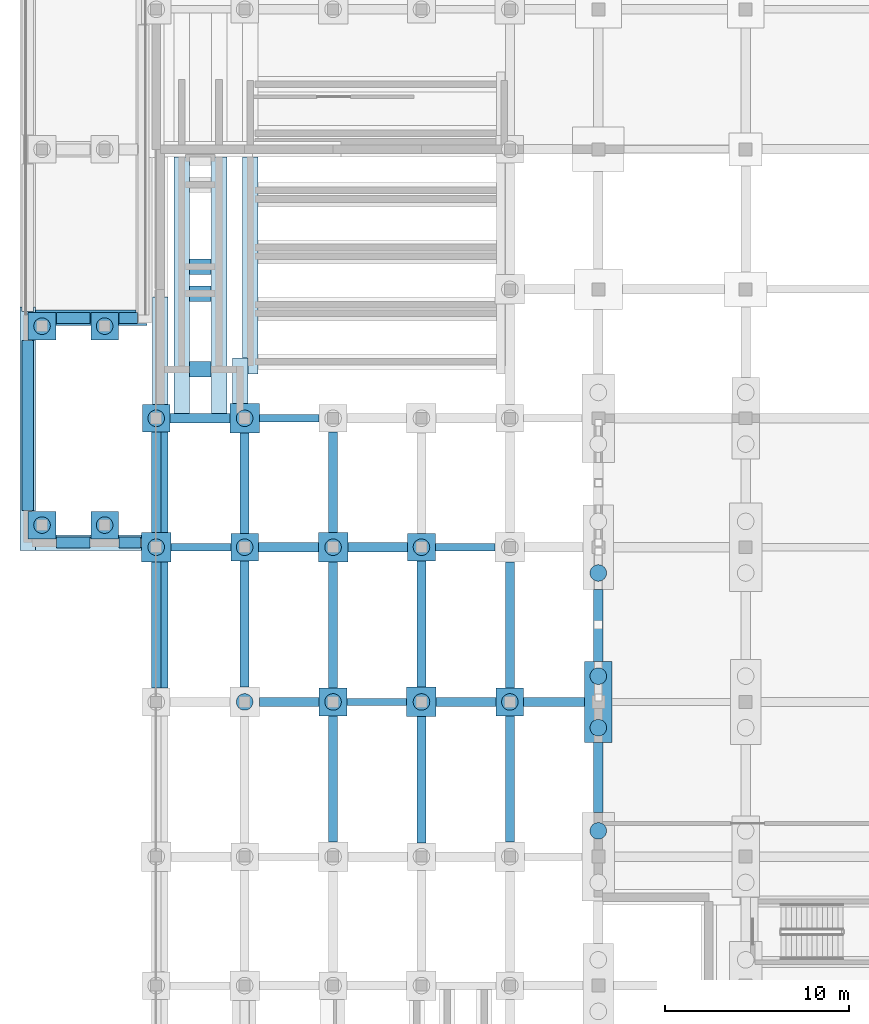
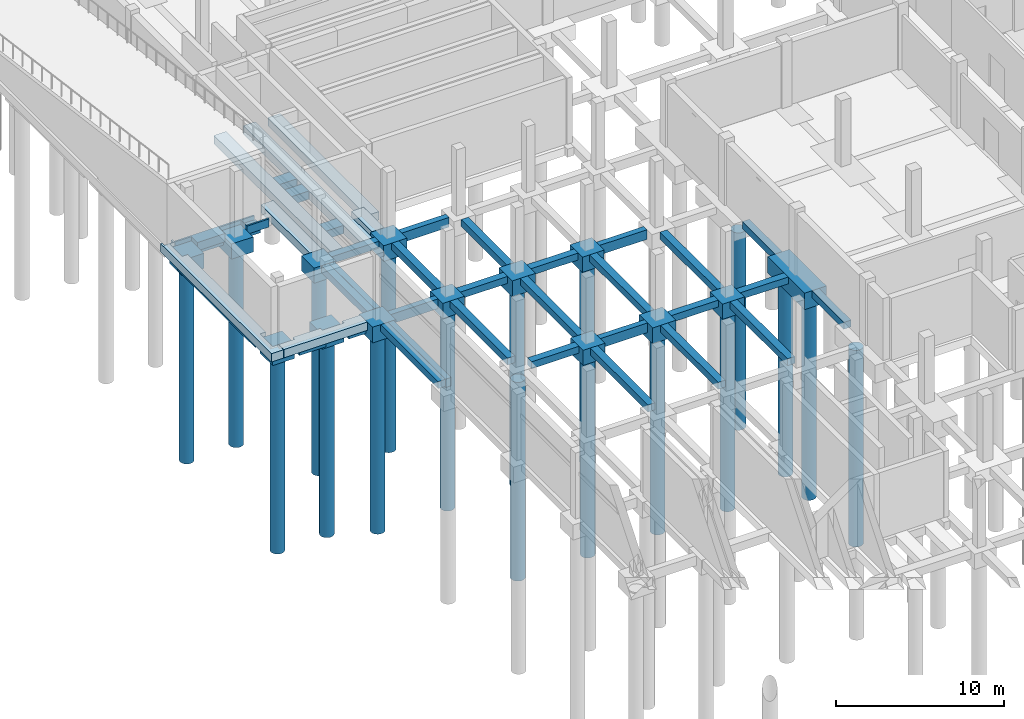
# One storey, part 9 of 50: 55 footings, 18 piles.
"""IFC4 building model written with IfcOpenShell, lengths in metres."""

from ifc_helpers import new_model, si_unit, direction, frame, origin, origin_2d, place, context, subcontext, project, spatial, polyline, rectangle, circle, outline, extrude, material, material_profile, profile_set, type_object, element, save


model = new_model("IFC4")

# Units and contexts
model_context = context("Model", 3, precision=1e-05, world=origin(), true_north=direction((0.0, 1.0)))
body_context = subcontext(model_context, "Body", "Model", "MODEL_VIEW")
ifc_project = project(units=[si_unit("LENGTHUNIT", "METRE"), si_unit("AREAUNIT", "SQUARE_METRE"), si_unit("VOLUMEUNIT", "CUBIC_METRE"), si_unit("PLANEANGLEUNIT", "RADIAN"), si_unit("MASSUNIT", "GRAM", prefix="KILO")], contexts=[model_context])

# Site, building, storey
site_placement = place(None, origin())
site = spatial("IfcSite", under=ifc_project, at=site_placement, CompositionType="ELEMENT")
building_placement = place(site_placement, origin())
building = spatial("IfcBuilding", under=site, at=building_placement, Name="Vekula Escarpment Museum", CompositionType="ELEMENT")
storey_placement = place(building_placement, frame((0.0, 0.0, -4.800048828125)))
storey = spatial("IfcBuildingStorey", under=building, at=storey_placement, Name="B1", CompositionType="ELEMENT", Elevation=-4.800048828125)

# Footings
ifc_material_1 = material(Name="Concrete C35/45", Category="concrete")
footing_type_1 = type_object("IfcFootingType", Name="FB-STRIP-600", PredefinedType="STRIP_FOOTING", material=ifc_material_1)
footing_1_placement = place(storey_placement, frame((0.0, 0.0, -0.89990234375)))
element("IfcFooting", 1, at=footing_1_placement, inside=storey, type_object=footing_type_1, Name="Vehicle Ramp Strip Footing RMP-TOP-W-1", PredefinedType="STRIP_FOOTING", context=body_context, shape_type="SweptSolid", body=[
    extrude(outline(polyline([(-7.27490234375, 78.389892578125), (-6.675048828125, 78.389892578125), (-6.675048828125, 87.610107421875), (-7.27490234375, 87.610107421875), (-7.27490234375, 78.389892578125)])), origin(), (0.0, 0.0, 1.0), 0.599853515625),
])
footing_2_placement = place(storey_placement, frame((0.0, 0.0, -0.89990234375)))
element("IfcFooting", 2, at=footing_2_placement, inside=storey, type_object=footing_type_1, Name="Vehicle Ramp Strip Footing RMP-X-77-1", PredefinedType="STRIP_FOOTING", context=body_context, shape_type="SweptSolid", body=[
    extrude(outline(polyline([(-5.409912109375, 76.35009765625), (-3.590087890625, 76.35009765625), (-3.590087890625, 76.949951171875), (-5.409912109375, 76.949951171875), (-5.409912109375, 76.35009765625)])), origin(), (0.0, 0.0, 1.0), 0.599853515625),
])
footing_3_placement = place(storey_placement, frame((0.0, 0.0, -0.89990234375)))
element("IfcFooting", 3, at=footing_3_placement, inside=storey, type_object=footing_type_1, Name="Vehicle Ramp Strip Footing RMP-X-77-2", PredefinedType="STRIP_FOOTING", context=body_context, shape_type="SweptSolid", body=[
    extrude(outline(polyline([(-2.010009765625, 76.35009765625), (-0.840087890625, 76.35009765625), (-0.840087890625, 76.949951171875), (-2.010009765625, 76.949951171875), (-2.010009765625, 76.35009765625)])), origin(), (0.0, 0.0, 1.0), 0.599853515625),
])
footing_4_placement = place(storey_placement, frame((0.0, 0.0, -0.89990234375)))
element("IfcFooting", 4, at=footing_4_placement, inside=storey, type_object=footing_type_1, Name="Vehicle Ramp Strip Footing RMP-X-89-1", PredefinedType="STRIP_FOOTING", context=body_context, shape_type="SweptSolid", body=[
    extrude(outline(polyline([(-5.409912109375, 88.550048828125), (-3.590087890625, 88.550048828125), (-3.590087890625, 89.14990234375), (-5.409912109375, 89.14990234375), (-5.409912109375, 88.550048828125)])), origin(), (0.0, 0.0, 1.0), 0.599853515625),
])
footing_5_placement = place(storey_placement, frame((0.0, 0.0, -0.89990234375)))
element("IfcFooting", 5, at=footing_5_placement, inside=storey, type_object=footing_type_1, Name="Vehicle Ramp Strip Footing RMP-X-89-2", PredefinedType="STRIP_FOOTING", context=body_context, shape_type="SweptSolid", body=[
    extrude(outline(polyline([(-2.010009765625, 88.550048828125), (-1.02490234375, 88.550048828125), (-1.02490234375, 89.14990234375), (-2.010009765625, 89.14990234375), (-2.010009765625, 88.550048828125)])), origin(), (0.0, 0.0, 1.0), 0.599853515625),
])
footing_6_placement = place(storey_placement, frame((0.0, 0.0, -0.599853515625)))
element("IfcFooting", 6, at=footing_6_placement, inside=storey, type_object=footing_type_1, Name="Plinth Wall Strip Footing 0128", PredefinedType="STRIP_FOOTING", context=body_context, shape_type="SweptSolid", body=[
    extrude(outline(polyline([(0.64501953125, 84.154052734375), (-0.195068359375, 84.154052734375), (-0.195068359375, 89.97607421875), (0.64501953125, 89.97607421875), (0.64501953125, 84.154052734375)])), origin(), (0.0, 0.0, 1.0), 0.599853515625),
])
footing_7_placement = place(storey_placement, frame((0.0, 0.0, -0.599853515625)))
element("IfcFooting", 7, at=footing_7_placement, inside=storey, type_object=footing_type_1, Name="Plinth Wall Strip Footing 0129", PredefinedType="STRIP_FOOTING", context=body_context, shape_type="SweptSolid", body=[
    extrude(outline(polyline([(0.64501953125, 77.2041015625), (0.25390625, 77.2041015625), (0.25390625, 82.64599609375), (0.64501953125, 82.64599609375), (0.64501953125, 77.2041015625)])), origin(), (0.0, 0.0, 1.0), 0.599853515625),
])
footing_8_placement = place(storey_placement, frame((0.0, 0.0, -0.599853515625)))
element("IfcFooting", 8, at=footing_8_placement, inside=storey, type_object=footing_type_1, Name="Plinth Wall Strip Footing 0130", PredefinedType="STRIP_FOOTING", context=body_context, shape_type="SweptSolid", body=[
    extrude(outline(polyline([(0.64501953125, 68.75390625), (0.25390625, 68.75390625), (0.25390625, 75.595947265625), (0.64501953125, 75.595947265625), (0.64501953125, 68.75390625)])), origin(), (0.0, 0.0, 1.0), 0.599853515625),
])
footing_9_placement = place(storey_placement, frame((0.0, 0.0, -0.599853515625)))
element("IfcFooting", 9, at=footing_9_placement, inside=storey, type_object=footing_type_1, Name="Plinth Wall Strip Footing 0146", PredefinedType="STRIP_FOOTING", context=body_context, shape_type="SweptSolid", body=[
    extrude(outline(polyline([(1.81005859375, 83.654052734375), (0.969970703125, 83.654052734375), (0.969970703125, 97.575927734375), (1.81005859375, 97.575927734375), (1.81005859375, 83.654052734375)])), origin(), (0.0, 0.0, 1.0), 0.599853515625),
])
footing_10_placement = place(storey_placement, frame((0.0, 0.0, -0.599853515625)))
element("IfcFooting", 10, at=footing_10_placement, inside=storey, type_object=footing_type_1, Name="Plinth Wall Strip Footing 0148", PredefinedType="STRIP_FOOTING", context=body_context, shape_type="SweptSolid", body=[
    extrude(outline(polyline([(3.830078125, 83.654052734375), (2.989990234375, 83.654052734375), (2.989990234375, 97.575927734375), (3.830078125, 97.575927734375), (3.830078125, 83.654052734375)])), origin(), (0.0, 0.0, 1.0), 0.599853515625),
])
footing_11_placement = place(storey_placement, frame((0.0, 0.0, -0.599853515625)))
element("IfcFooting", 11, at=footing_11_placement, inside=storey, type_object=footing_type_1, Name="Plinth Wall Strip Footing 0152", PredefinedType="STRIP_FOOTING", context=body_context, shape_type="SweptSolid", body=[
    extrude(outline(polyline([(1.81396484375, 89.75), (1.81396484375, 90.590087890625), (2.986083984375, 90.590087890625), (2.986083984375, 89.75), (1.81396484375, 89.75)])), origin(), (0.0, 0.0, 1.0), 0.599853515625),
])
footing_12_placement = place(storey_placement, frame((0.0, 0.0, -0.599853515625)))
element("IfcFooting", 12, at=footing_12_placement, inside=storey, type_object=footing_type_1, Name="Plinth Wall Strip Footing 0153", PredefinedType="STRIP_FOOTING", context=body_context, shape_type="SweptSolid", body=[
    extrude(outline(polyline([(1.81396484375, 91.199951171875), (1.81396484375, 92.0400390625), (2.986083984375, 92.0400390625), (2.986083984375, 91.199951171875), (1.81396484375, 91.199951171875)])), origin(), (0.0, 0.0, 1.0), 0.599853515625),
])
footing_13_placement = place(storey_placement, frame((0.0, 0.0, -0.599853515625)))
element("IfcFooting", 13, at=footing_13_placement, inside=storey, type_object=footing_type_1, Name="Plinth Wall Strip Footing 0170", PredefinedType="STRIP_FOOTING", context=body_context, shape_type="SweptSolid", body=[
    extrude(outline(polyline([(4.1298828125, 86.659912109375), (4.969970703125, 86.659912109375), (4.969970703125, 84.2041015625), (4.1298828125, 84.2041015625), (4.1298828125, 86.659912109375)])), origin(), (0.0, 0.0, 1.0), 0.599853515625),
])
footing_14_placement = place(storey_placement, frame((0.0, 0.0, -0.599853515625)))
element("IfcFooting", 14, at=footing_14_placement, inside=storey, type_object=footing_type_1, Name="Plinth Wall Strip Footing 0171", PredefinedType="STRIP_FOOTING", context=body_context, shape_type="SweptSolid", body=[
    extrude(outline(polyline([(1.81396484375, 85.6298828125), (1.81396484375, 86.469970703125), (2.986083984375, 86.469970703125), (2.986083984375, 85.6298828125), (1.81396484375, 85.6298828125)])), origin(), (0.0, 0.0, 1.0), 0.599853515625),
])
footing_15_placement = place(storey_placement, frame((0.0, 0.0, -0.599853515625)))
element("IfcFooting", 15, at=footing_15_placement, inside=storey, type_object=footing_type_1, Name="Plinth Wall Strip Footing 0184", PredefinedType="STRIP_FOOTING", context=body_context, shape_type="SweptSolid", body=[
    extrude(outline(polyline([(5.52001953125, 85.81005859375), (4.97412109375, 85.81005859375), (4.97412109375, 86.6640625), (4.679931640625, 86.6640625), (4.679931640625, 97.575927734375), (5.52001953125, 97.575927734375), (5.52001953125, 85.81005859375)])), origin(), (0.0, 0.0, 1.0), 0.599853515625),
])
footing_16_placement = place(storey_placement, frame((0.0, 0.0, -0.599853515625)))
element("IfcFooting", 16, at=footing_16_placement, inside=storey, type_object=footing_type_1, Name="Plinth Wall Strip Footing 0208", PredefinedType="STRIP_FOOTING", context=body_context, shape_type="SweptSolid", body=[
    extrude(outline(polyline([(-6.554931640625, 76.22998046875), (-7.39501953125, 76.22998046875), (-7.39501953125, 89.43994140625), (-7.279052734375, 89.43994140625), (-7.279052734375, 89.18603515625), (-6.6708984375, 89.18603515625), (-6.6708984375, 89.43994140625), (-6.554931640625, 89.43994140625), (-6.554931640625, 89.154052734375), (-6.9541015625, 89.154052734375), (-6.9541015625, 87.64599609375), (-6.554931640625, 87.64599609375), (-6.554931640625, 78.35400390625), (-6.9541015625, 78.35400390625), (-6.9541015625, 76.845947265625), (-6.554931640625, 76.845947265625), (-6.554931640625, 76.22998046875)])), origin(), (0.0, 0.0, 1.0), 0.599853515625),
])
footing_17_placement = place(storey_placement, frame((0.0, 0.0, -0.599853515625)))
element("IfcFooting", 17, at=footing_17_placement, inside=storey, type_object=footing_type_1, Name="Plinth Wall Strip Footing 0213", PredefinedType="STRIP_FOOTING", context=body_context, shape_type="SweptSolid", body=[
    extrude(outline(polyline([(-6.551025390625, 76.22998046875), (-6.551025390625, 76.845947265625), (-5.446044921875, 76.845947265625), (-5.446044921875, 77.070068359375), (-3.553955078125, 77.070068359375), (-3.553955078125, 76.845947265625), (-2.0458984375, 76.845947265625), (-2.0458984375, 77.070068359375), (-0.803955078125, 77.070068359375), (-0.803955078125, 76.22998046875), (-6.551025390625, 76.22998046875)])), origin(), (0.0, 0.0, 1.0), 0.599853515625),
])
footing_18_placement = place(storey_placement, frame((0.0, 0.0, -0.599853515625)))
element("IfcFooting", 18, at=footing_18_placement, inside=storey, type_object=footing_type_1, Name="Plinth Wall Strip Footing 0214", PredefinedType="STRIP_FOOTING", context=body_context, shape_type="SweptSolid", body=[
    extrude(outline(polyline([(-5.446044921875, 88.429931640625), (-5.446044921875, 89.154052734375), (-6.551025390625, 89.154052734375), (-6.551025390625, 89.27001953125), (-1.10888671875, 89.27001953125), (-1.10888671875, 89.154052734375), (-2.013916015625, 89.154052734375), (-2.013916015625, 88.5458984375), (-1.02099609375, 88.5458984375), (-1.02099609375, 88.555908203125), (-0.510009765625, 88.555908203125), (-0.510009765625, 88.429931640625), (-2.0458984375, 88.429931640625), (-2.0458984375, 89.154052734375), (-3.553955078125, 89.154052734375), (-3.553955078125, 88.429931640625), (-5.446044921875, 88.429931640625)])), origin(), (0.0, 0.0, 1.0), 0.599853515625),
])
ifc_material_2 = material(Name="Concrete C35/45", Category="concrete")
ifc_material_profile_1 = material_profile(ifc_material_2, rectangle(XDim=0.39990234375, YDim=0.699951171875, at=origin_2d()), Name="RC 400x700")
ifc_profile_set_1 = profile_set([ifc_material_profile_1], Name="Concrete C35/45")
footing_type_2 = type_object("IfcFootingType", Name="FB-TIE-400x700", PredefinedType="FOOTING_BEAM", material=ifc_profile_set_1)
for number, where, z_axis, x_axis, name in (
    (19, (10.35009765625, 68.0, -0.349853515625), (1.0, 0.0, 0.0), (0.0, 1.0, 0.0), "Foundation Tie Beam 189"),
    (20, (0.800048828125, 76.39990234375, -0.349853515625), (1.0, 0.0, 0.0), (0.0, 1.0, 0.0), "Foundation Tie Beam 210"),
    (21, (15.14990234375, 76.39990234375, -0.349853515625), (1.0, 0.0, 0.0), (0.0, 1.0, 0.0), "Foundation Tie Beam 213"),
    (22, (5.60009765625, 83.39990234375, -0.349853515625), (1.0, 0.0, 0.0), (0.0, 1.0, 0.0), "Foundation Tie Beam 234"),
):
    element("IfcFooting", number, at=place(storey_placement, frame(where, z_axis=z_axis, x_axis=x_axis)), inside=storey, type_object=footing_type_2, Name=name, PredefinedType="FOOTING_BEAM", context=body_context, shape_type="SweptSolid", body=[
        extrude(rectangle(XDim=0.39990234375, YDim=0.699951171875, at=origin_2d()), origin(), (0.0, 0.0, 1.0), 3.25),
    ])
ifc_material_3 = material(Name="Concrete C35/45", Category="concrete")
ifc_material_profile_2 = material_profile(ifc_material_3, rectangle(XDim=0.5, YDim=0.5, at=origin_2d()), Name="RC 500x500")
ifc_profile_set_2 = profile_set([ifc_material_profile_2], Name="Concrete C35/45")
footing_type_3 = type_object("IfcFootingType", Name="FB-TIE-500x500", PredefinedType="FOOTING_BEAM", material=ifc_profile_set_2)
for number, where, z_axis, x_axis, name in (
    (23, (5.60009765625, 68.0, -0.25), (1.0, 0.0, 0.0), (0.0, 1.0, 0.0), "Foundation Tie Beam 188"),
    (24, (15.199951171875, 68.0, -0.25), (1.0, 0.0, 0.0), (0.0, 1.0, 0.0), "Foundation Tie Beam 190"),
):
    element("IfcFooting", number, at=place(storey_placement, frame(where, z_axis=z_axis, x_axis=x_axis)), inside=storey, type_object=footing_type_3, Name=name, PredefinedType="FOOTING_BEAM", context=body_context, shape_type="SweptSolid", body=[
        extrude(rectangle(XDim=0.5, YDim=0.5, at=origin_2d()), origin(), (0.0, 0.0, 1.0), 3.25),
    ])
footing_19_placement = place(storey_placement, frame((19.949951171875, 68.0, -0.25), z_axis=(1.0, 0.0, 0.0), x_axis=(0.0, 1.0, 0.0)))
element("IfcFooting", 25, at=footing_19_placement, inside=storey, type_object=footing_type_3, Name="Foundation Tie Beam 191", PredefinedType="FOOTING_BEAM", context=body_context, shape_type="SweptSolid", body=[
    extrude(rectangle(XDim=0.5, YDim=0.5, at=origin_2d()), origin(), (0.0, 0.0, 1.0), 3.300048828125),
])
for number, where, z_axis, x_axis, name in (
    (26, (5.550048828125, 76.39990234375, -0.25), (1.0, 0.0, 0.0), (0.0, 1.0, 0.0), "Foundation Tie Beam 211"),
    (27, (10.39990234375, 76.39990234375, -0.25), (1.0, 0.0, 0.0), (0.0, 1.0, 0.0), "Foundation Tie Beam 212"),
    (28, (0.75, 83.39990234375, -0.25), (1.0, 0.0, 0.0), (0.0, 1.0, 0.0), "Foundation Tie Beam 233"),
):
    element("IfcFooting", number, at=place(storey_placement, frame(where, z_axis=z_axis, x_axis=x_axis)), inside=storey, type_object=footing_type_3, Name=name, PredefinedType="FOOTING_BEAM", context=body_context, shape_type="SweptSolid", body=[
        extrude(rectangle(XDim=0.5, YDim=0.5, at=origin_2d()), origin(), (0.0, 0.0, 1.0), 3.25),
    ])
footing_20_placement = place(storey_placement, frame((0.0, 68.75, -0.25), z_axis=(0.0, 1.0, 0.0), x_axis=(-1.0, 0.0, 0.0)))
element("IfcFooting", 29, at=footing_20_placement, inside=storey, type_object=footing_type_3, Name="Foundation Tie Beam 408", PredefinedType="FOOTING_BEAM", context=body_context, shape_type="SweptSolid", body=[
    extrude(rectangle(XDim=0.5, YDim=0.5, at=origin_2d()), origin(), (0.0, 0.0, 1.0), 6.85009765625),
])
footing_21_placement = place(storey_placement, frame((0.0, 77.199951171875, -0.25), z_axis=(0.0, 1.0, 0.0), x_axis=(-1.0, 0.0, 0.0)))
element("IfcFooting", 30, at=footing_21_placement, inside=storey, type_object=footing_type_3, Name="Foundation Tie Beam 409", PredefinedType="FOOTING_BEAM", context=body_context, shape_type="SweptSolid", body=[
    extrude(rectangle(XDim=0.5, YDim=0.5, at=origin_2d()), origin(), (0.0, 0.0, 1.0), 5.449951171875),
])
footing_22_placement = place(storey_placement, frame((4.800048828125, 68.800048828125, -0.25), z_axis=(0.0, 1.0, 0.0), x_axis=(-1.0, 0.0, 0.0)))
element("IfcFooting", 31, at=footing_22_placement, inside=storey, type_object=footing_type_3, Name="Foundation Tie Beam 420", PredefinedType="FOOTING_BEAM", context=body_context, shape_type="SweptSolid", body=[
    extrude(rectangle(XDim=0.5, YDim=0.5, at=origin_2d()), origin(), (0.0, 0.0, 1.0), 6.849853515625),
])
footing_23_placement = place(storey_placement, frame((4.800048828125, 77.14990234375, -0.25), z_axis=(0.0, 1.0, 0.0), x_axis=(-1.0, 0.0, 0.0)))
element("IfcFooting", 32, at=footing_23_placement, inside=storey, type_object=footing_type_3, Name="Foundation Tie Beam 421", PredefinedType="FOOTING_BEAM", context=body_context, shape_type="SweptSolid", body=[
    extrude(rectangle(XDim=0.5, YDim=0.5, at=origin_2d()), origin(), (0.0, 0.0, 1.0), 5.4501953125),
])
for number, where, z_axis, x_axis, name in (
    (33, (9.60009765625, 60.39990234375, -0.25), (0.0, 1.0, 0.0), (-1.0, 0.0, 0.0), "Foundation Tie Beam 427"),
    (34, (9.60009765625, 68.75, -0.25), (0.0, 1.0, 0.0), (-1.0, 0.0, 0.0), "Foundation Tie Beam 428"),
):
    element("IfcFooting", number, at=place(storey_placement, frame(where, z_axis=z_axis, x_axis=x_axis)), inside=storey, type_object=footing_type_3, Name=name, PredefinedType="FOOTING_BEAM", context=body_context, shape_type="SweptSolid", body=[
        extrude(rectangle(XDim=0.5, YDim=0.5, at=origin_2d()), origin(), (0.0, 0.0, 1.0), 6.85009765625),
    ])
footing_24_placement = place(storey_placement, frame((9.60009765625, 77.199951171875, -0.25), z_axis=(0.0, 1.0, 0.0), x_axis=(-1.0, 0.0, 0.0)))
element("IfcFooting", 35, at=footing_24_placement, inside=storey, type_object=footing_type_3, Name="Foundation Tie Beam 429", PredefinedType="FOOTING_BEAM", context=body_context, shape_type="SweptSolid", body=[
    extrude(rectangle(XDim=0.5, YDim=0.5, at=origin_2d()), origin(), (0.0, 0.0, 1.0), 5.449951171875),
])
for number, where, z_axis, x_axis, name in (
    (36, (14.39990234375, 60.35009765625, -0.25), (0.0, 1.0, 0.0), (-1.0, 0.0, 0.0), "Foundation Tie Beam 435"),
    (37, (14.39990234375, 68.800048828125, -0.25), (0.0, 1.0, 0.0), (-1.0, 0.0, 0.0), "Foundation Tie Beam 436"),
):
    element("IfcFooting", number, at=place(storey_placement, frame(where, z_axis=z_axis, x_axis=x_axis)), inside=storey, type_object=footing_type_3, Name=name, PredefinedType="FOOTING_BEAM", context=body_context, shape_type="SweptSolid", body=[
        extrude(rectangle(XDim=0.5, YDim=0.5, at=origin_2d()), origin(), (0.0, 0.0, 1.0), 6.849853515625),
    ])
for number, where, z_axis, x_axis, name in (
    (38, (19.199951171875, 60.39990234375, -0.25), (0.0, 1.0, 0.0), (-1.0, 0.0, 0.0), "Foundation Tie Beam 450"),
    (39, (19.199951171875, 68.75, -0.25), (0.0, 1.0, 0.0), (-1.0, 0.0, 0.0), "Foundation Tie Beam 451"),
):
    element("IfcFooting", number, at=place(storey_placement, frame(where, z_axis=z_axis, x_axis=x_axis)), inside=storey, type_object=footing_type_3, Name=name, PredefinedType="FOOTING_BEAM", context=body_context, shape_type="SweptSolid", body=[
        extrude(rectangle(XDim=0.5, YDim=0.5, at=origin_2d()), origin(), (0.0, 0.0, 1.0), 6.85009765625),
    ])
footing_25_placement = place(storey_placement, frame((24.0, 62.0, -0.25), z_axis=(0.0, 1.0, 0.0), x_axis=(-1.0, 0.0, 0.0)))
element("IfcFooting", 40, at=footing_25_placement, inside=storey, type_object=footing_type_3, Name="Foundation Tie Beam 468", PredefinedType="FOOTING_BEAM", context=body_context, shape_type="SweptSolid", body=[
    extrude(rectangle(XDim=0.5, YDim=0.5, at=origin_2d()), origin(), (0.0, 0.0, 1.0), 3.800048828125),
])
footing_26_placement = place(storey_placement, frame((24.0, 70.199951171875, -0.25), z_axis=(0.0, 1.0, 0.0), x_axis=(-1.0, 0.0, 0.0)))
element("IfcFooting", 41, at=footing_26_placement, inside=storey, type_object=footing_type_3, Name="Foundation Tie Beam 469", PredefinedType="FOOTING_BEAM", context=body_context, shape_type="SweptSolid", body=[
    extrude(rectangle(XDim=0.5, YDim=0.5, at=origin_2d()), origin(), (0.0, 0.0, 1.0), 3.900146484375),
])
ifc_material_4 = material(Name="Concrete C35/45", Category="concrete")
footing_type_4 = type_object("IfcFootingType", Name="FC-PC1A", PredefinedType="PILE_CAP", material=ifc_material_4)
footing_27_placement = place(storey_placement, frame((0.0, 0.0, -1.099853515625)))
element("IfcFooting", 42, at=footing_27_placement, inside=storey, type_object=footing_type_4, Name="Foundation FC-PC1A (0.0,83.4)", PredefinedType="PILE_CAP", context=body_context, shape_type="SweptSolid", body=[
    extrude(outline(polyline([(-0.75, 82.64990234375), (0.75, 82.64990234375), (0.75, 84.14990234375), (-0.75, 84.14990234375), (-0.75, 82.64990234375)])), origin(), (0.0, 0.0, 1.0), 1.099853515625),
])
footing_28_placement = place(storey_placement, frame((0.0, 0.0, -1.099853515625)))
element("IfcFooting", 43, at=footing_28_placement, inside=storey, type_object=footing_type_4, Name="Foundation FC-PC1A (4.8,76.4)", PredefinedType="PILE_CAP", context=body_context, shape_type="SweptSolid", body=[
    extrude(outline(polyline([(4.050048828125, 75.64990234375), (5.550048828125, 75.64990234375), (5.550048828125, 77.14990234375), (4.050048828125, 77.14990234375), (4.050048828125, 75.64990234375)])), origin(), (0.0, 0.0, 1.0), 1.099853515625),
])
footing_29_placement = place(storey_placement, frame((0.0, 0.0, -1.099853515625)))
element("IfcFooting", 44, at=footing_29_placement, inside=storey, type_object=footing_type_4, Name="Foundation FC-PC1A (9.6,68.0)", PredefinedType="PILE_CAP", context=body_context, shape_type="SweptSolid", body=[
    extrude(outline(polyline([(8.85009765625, 67.25), (10.35009765625, 67.25), (10.35009765625, 68.75), (8.85009765625, 68.75), (8.85009765625, 67.25)])), origin(), (0.0, 0.0, 1.0), 1.099853515625),
])
footing_30_placement = place(storey_placement, frame((0.0, 0.0, -1.099853515625)))
element("IfcFooting", 45, at=footing_30_placement, inside=storey, type_object=footing_type_4, Name="Foundation FC-PC1A (14.4,76.4)", PredefinedType="PILE_CAP", context=body_context, shape_type="SweptSolid", body=[
    extrude(outline(polyline([(13.64990234375, 75.64990234375), (15.14990234375, 75.64990234375), (15.14990234375, 77.14990234375), (13.64990234375, 77.14990234375), (13.64990234375, 75.64990234375)])), origin(), (0.0, 0.0, 1.0), 1.099853515625),
])
footing_31_placement = place(storey_placement, frame((0.0, 0.0, -1.099853515625)))
element("IfcFooting", 46, at=footing_31_placement, inside=storey, type_object=footing_type_4, Name="Foundation FC-PC1A (19.2,68.0)", PredefinedType="PILE_CAP", context=body_context, shape_type="SweptSolid", body=[
    extrude(outline(polyline([(18.449951171875, 67.25), (19.949951171875, 67.25), (19.949951171875, 68.75), (18.449951171875, 68.75), (18.449951171875, 67.25)])), origin(), (0.0, 0.0, 1.0), 1.099853515625),
])
footing_32_placement = place(storey_placement, frame((0.0, 0.0, -1.39990234375)))
element("IfcFooting", 47, at=footing_32_placement, inside=storey, type_object=footing_type_4, Name="Vehicle Ramp Pile Cap 01", PredefinedType="PILE_CAP", context=body_context, shape_type="SweptSolid", body=[
    extrude(outline(polyline([(-6.949951171875, 76.85009765625), (-5.449951171875, 76.85009765625), (-5.449951171875, 78.35009765625), (-6.949951171875, 78.35009765625), (-6.949951171875, 76.85009765625)])), origin(), (0.0, 0.0, 1.0), 1.099853515625),
])
footing_33_placement = place(storey_placement, frame((0.0, 0.0, -1.39990234375)))
element("IfcFooting", 48, at=footing_33_placement, inside=storey, type_object=footing_type_4, Name="Vehicle Ramp Pile Cap 02", PredefinedType="PILE_CAP", context=body_context, shape_type="SweptSolid", body=[
    extrude(outline(polyline([(-3.550048828125, 76.85009765625), (-2.050048828125, 76.85009765625), (-2.050048828125, 78.35009765625), (-3.550048828125, 78.35009765625), (-3.550048828125, 76.85009765625)])), origin(), (0.0, 0.0, 1.0), 1.099853515625),
])
footing_34_placement = place(storey_placement, frame((0.0, 0.0, -1.39990234375)))
element("IfcFooting", 49, at=footing_34_placement, inside=storey, type_object=footing_type_4, Name="Vehicle Ramp Pile Cap 03", PredefinedType="PILE_CAP", context=body_context, shape_type="SweptSolid", body=[
    extrude(outline(polyline([(-6.949951171875, 87.64990234375), (-5.449951171875, 87.64990234375), (-5.449951171875, 89.14990234375), (-6.949951171875, 89.14990234375), (-6.949951171875, 87.64990234375)])), origin(), (0.0, 0.0, 1.0), 1.099853515625),
])
footing_35_placement = place(storey_placement, frame((0.0, 0.0, -1.39990234375)))
element("IfcFooting", 50, at=footing_35_placement, inside=storey, type_object=footing_type_4, Name="Vehicle Ramp Pile Cap 04", PredefinedType="PILE_CAP", context=body_context, shape_type="SweptSolid", body=[
    extrude(outline(polyline([(-3.550048828125, 87.64990234375), (-2.050048828125, 87.64990234375), (-2.050048828125, 89.14990234375), (-3.550048828125, 89.14990234375), (-3.550048828125, 87.64990234375)])), origin(), (0.0, 0.0, 1.0), 1.099853515625),
])
ifc_material_5 = material(Name="Concrete C35/45", Category="concrete")
footing_type_5 = type_object("IfcFootingType", Name="FC-PC1B", PredefinedType="PILE_CAP", material=ifc_material_5)
footing_36_placement = place(storey_placement, frame((0.0, 0.0, -1.14990234375)))
element("IfcFooting", 51, at=footing_36_placement, inside=storey, type_object=footing_type_5, Name="Foundation FC-PC1B (0.0,76.4)", PredefinedType="PILE_CAP", context=body_context, shape_type="SweptSolid", body=[
    extrude(outline(polyline([(-0.800048828125, 75.60009765625), (0.800048828125, 75.60009765625), (0.800048828125, 77.199951171875), (-0.800048828125, 77.199951171875), (-0.800048828125, 75.60009765625)])), origin(), (0.0, 0.0, 1.0), 1.14990234375),
])
footing_37_placement = place(storey_placement, frame((0.0, 0.0, -1.14990234375)))
element("IfcFooting", 52, at=footing_37_placement, inside=storey, type_object=footing_type_5, Name="Foundation FC-PC1B (4.8,83.4)", PredefinedType="PILE_CAP", context=body_context, shape_type="SweptSolid", body=[
    extrude(outline(polyline([(4.0, 82.60009765625), (5.60009765625, 82.60009765625), (5.60009765625, 84.199951171875), (4.0, 84.199951171875), (4.0, 82.60009765625)])), origin(), (0.0, 0.0, 1.0), 1.14990234375),
])
footing_38_placement = place(storey_placement, frame((0.0, 0.0, -1.14990234375)))
element("IfcFooting", 53, at=footing_38_placement, inside=storey, type_object=footing_type_5, Name="Foundation FC-PC1B (9.6,76.4)", PredefinedType="PILE_CAP", context=body_context, shape_type="SweptSolid", body=[
    extrude(outline(polyline([(8.800048828125, 75.60009765625), (10.39990234375, 75.60009765625), (10.39990234375, 77.199951171875), (8.800048828125, 77.199951171875), (8.800048828125, 75.60009765625)])), origin(), (0.0, 0.0, 1.0), 1.14990234375),
])
footing_39_placement = place(storey_placement, frame((0.0, 0.0, -1.14990234375)))
element("IfcFooting", 54, at=footing_39_placement, inside=storey, type_object=footing_type_5, Name="Foundation FC-PC1B (14.4,68.0)", PredefinedType="PILE_CAP", context=body_context, shape_type="SweptSolid", body=[
    extrude(outline(polyline([(13.60009765625, 67.199951171875), (15.199951171875, 67.199951171875), (15.199951171875, 68.800048828125), (13.60009765625, 68.800048828125), (13.60009765625, 67.199951171875)])), origin(), (0.0, 0.0, 1.0), 1.14990234375),
])
ifc_material_6 = material(Name="Concrete C35/45", Category="concrete")
footing_type_6 = type_object("IfcFootingType", Name="FC-PC2Y-A", PredefinedType="PILE_CAP", material=ifc_material_6)
footing_40_placement = place(storey_placement, frame((0.0, 0.0, -1.199951171875)))
element("IfcFooting", 55, at=footing_40_placement, inside=storey, type_object=footing_type_6, Name="Foundation FC-PC2Y-A (24.0,68.0)", PredefinedType="PILE_CAP", context=body_context, shape_type="SweptSolid", body=[
    extrude(outline(polyline([(23.25, 65.800048828125), (24.75, 65.800048828125), (24.75, 70.199951171875), (23.25, 70.199951171875), (23.25, 65.800048828125)])), origin(), (0.0, 0.0, 1.0), 1.199951171875),
])

# Piles
ifc_material_7 = material(Name="Concrete C35/45", Category="concrete")
ifc_material_profile_3 = material_profile(ifc_material_7, circle(Radius=0.449951171875, at=origin_2d()), Name="BORED PILE 900")
ifc_profile_set_3 = profile_set([ifc_material_profile_3], Name="Concrete C35/45")
pile_type = type_object("IfcPileType", Name="PILE-B900", PredefinedType="BORED", material=ifc_profile_set_3)
pile_1_placement = place(storey_placement, frame((0.0, 76.39990234375, -1.050048828125), z_axis=(0.0, 0.0, -1.0), x_axis=(1.0, 0.0, 0.0)))
element("IfcPile", 56, at=pile_1_placement, inside=storey, type_object=pile_type, Name="Bored Pile (0.0,76.4)", PredefinedType="BORED", context=body_context, shape_type="SweptSolid", body=[
    extrude(circle(Radius=0.449951171875, at=origin_2d()), origin(), (0.0, 0.0, 1.0), 14.449951171875),
])
pile_2_placement = place(storey_placement, frame((0.0, 83.39990234375, -1.0), z_axis=(0.0, 0.0, -1.0), x_axis=(1.0, 0.0, 0.0)))
element("IfcPile", 57, at=pile_2_placement, inside=storey, type_object=pile_type, Name="Bored Pile (0.0,83.4)", PredefinedType="BORED", context=body_context, shape_type="SweptSolid", body=[
    extrude(circle(Radius=0.449951171875, at=origin_2d()), origin(), (0.0, 0.0, 1.0), 14.5),
])
pile_3_placement = place(storey_placement, frame((4.800048828125, 68.0, -1.050048828125), z_axis=(0.0, 0.0, -1.0), x_axis=(1.0, 0.0, 0.0)))
element("IfcPile", 58, at=pile_3_placement, inside=storey, type_object=pile_type, Name="Bored Pile (4.8,68.0)", PredefinedType="BORED", context=body_context, shape_type="SweptSolid", body=[
    extrude(circle(Radius=0.449951171875, at=origin_2d()), origin(), (0.0, 0.0, 1.0), 14.449951171875),
])
pile_4_placement = place(storey_placement, frame((4.800048828125, 76.39990234375, -1.0), z_axis=(0.0, 0.0, -1.0), x_axis=(1.0, 0.0, 0.0)))
element("IfcPile", 59, at=pile_4_placement, inside=storey, type_object=pile_type, Name="Bored Pile (4.8,76.4)", PredefinedType="BORED", context=body_context, shape_type="SweptSolid", body=[
    extrude(circle(Radius=0.449951171875, at=origin_2d()), origin(), (0.0, 0.0, 1.0), 14.5),
])
pile_5_placement = place(storey_placement, frame((4.800048828125, 83.39990234375, -1.050048828125), z_axis=(0.0, 0.0, -1.0), x_axis=(1.0, 0.0, 0.0)))
element("IfcPile", 60, at=pile_5_placement, inside=storey, type_object=pile_type, Name="Bored Pile (4.8,83.4)", PredefinedType="BORED", context=body_context, shape_type="SweptSolid", body=[
    extrude(circle(Radius=0.449951171875, at=origin_2d()), origin(), (0.0, 0.0, 1.0), 14.449951171875),
])
pile_6_placement = place(storey_placement, frame((9.60009765625, 68.0, -1.0), z_axis=(0.0, 0.0, -1.0), x_axis=(1.0, 0.0, 0.0)))
element("IfcPile", 61, at=pile_6_placement, inside=storey, type_object=pile_type, Name="Bored Pile (9.6,68.0)", PredefinedType="BORED", context=body_context, shape_type="SweptSolid", body=[
    extrude(circle(Radius=0.449951171875, at=origin_2d()), origin(), (0.0, 0.0, 1.0), 14.5),
])
for number, where, z_axis, x_axis, name in (
    (62, (9.60009765625, 76.39990234375, -1.050048828125), (0.0, 0.0, -1.0), (1.0, 0.0, 0.0), "Bored Pile (9.6,76.4)"),
    (63, (14.39990234375, 68.0, -1.050048828125), (0.0, 0.0, -1.0), (1.0, 0.0, 0.0), "Bored Pile (14.4,68.0)"),
):
    element("IfcPile", number, at=place(storey_placement, frame(where, z_axis=z_axis, x_axis=x_axis)), inside=storey, type_object=pile_type, Name=name, PredefinedType="BORED", context=body_context, shape_type="SweptSolid", body=[
        extrude(circle(Radius=0.449951171875, at=origin_2d()), origin(), (0.0, 0.0, 1.0), 14.449951171875),
    ])
for number, where, z_axis, x_axis, name in (
    (64, (14.39990234375, 76.39990234375, -1.0), (0.0, 0.0, -1.0), (1.0, 0.0, 0.0), "Bored Pile (14.4,76.4)"),
    (65, (19.199951171875, 68.0, -1.0), (0.0, 0.0, -1.0), (1.0, 0.0, 0.0), "Bored Pile (19.2,68.0)"),
):
    element("IfcPile", number, at=place(storey_placement, frame(where, z_axis=z_axis, x_axis=x_axis)), inside=storey, type_object=pile_type, Name=name, PredefinedType="BORED", context=body_context, shape_type="SweptSolid", body=[
        extrude(circle(Radius=0.449951171875, at=origin_2d()), origin(), (0.0, 0.0, 1.0), 14.5),
    ])
pile_7_placement = place(storey_placement, frame((24.0, 61.0, -1.199951171875), z_axis=(0.0, 0.0, -1.0), x_axis=(1.0, 0.0, 0.0)))
element("IfcPile", 66, at=pile_7_placement, inside=storey, type_object=pile_type, Name="Bored Pile (24.0,61.0)", PredefinedType="BORED", context=body_context, shape_type="SweptSolid", body=[
    extrude(circle(Radius=0.449951171875, at=origin_2d()), origin(), (0.0, 0.0, 1.0), 14.300048828125),
])
for number, where, z_axis, x_axis, name in (
    (67, (24.0, 66.60009765625, -1.099853515625), (0.0, 0.0, -1.0), (1.0, 0.0, 0.0), "Bored Pile (24.0,66.6)"),
    (68, (24.0, 69.39990234375, -1.099853515625), (0.0, 0.0, -1.0), (1.0, 0.0, 0.0), "Bored Pile (24.0,69.4)"),
):
    element("IfcPile", number, at=place(storey_placement, frame(where, z_axis=z_axis, x_axis=x_axis)), inside=storey, type_object=pile_type, Name=name, PredefinedType="BORED", context=body_context, shape_type="SweptSolid", body=[
        extrude(circle(Radius=0.449951171875, at=origin_2d()), origin(), (0.0, 0.0, 1.0), 14.39990234375),
    ])
pile_8_placement = place(storey_placement, frame((24.0, 75.0, -1.14990234375), z_axis=(0.0, 0.0, -1.0), x_axis=(1.0, 0.0, 0.0)))
element("IfcPile", 69, at=pile_8_placement, inside=storey, type_object=pile_type, Name="Bored Pile (24.0,75.0)", PredefinedType="BORED", context=body_context, shape_type="SweptSolid", body=[
    extrude(circle(Radius=0.449951171875, at=origin_2d()), origin(), (0.0, 0.0, 1.0), 14.35009765625),
])
for number, where, z_axis, x_axis, name in (
    (70, (-6.199951171875, 77.60009765625, -1.300048828125), (0.0, 0.0, -1.0), (1.0, 0.0, 0.0), "Vehicle Ramp Bored Pile 01"),
    (71, (-2.800048828125, 77.60009765625, -1.300048828125), (0.0, 0.0, -1.0), (1.0, 0.0, 0.0), "Vehicle Ramp Bored Pile 02"),
    (72, (-6.199951171875, 88.39990234375, -1.300048828125), (0.0, 0.0, -1.0), (1.0, 0.0, 0.0), "Vehicle Ramp Bored Pile 03"),
    (73, (-2.800048828125, 88.39990234375, -1.300048828125), (0.0, 0.0, -1.0), (1.0, 0.0, 0.0), "Vehicle Ramp Bored Pile 04"),
):
    element("IfcPile", number, at=place(storey_placement, frame(where, z_axis=z_axis, x_axis=x_axis)), inside=storey, type_object=pile_type, Name=name, PredefinedType="BORED", context=body_context, shape_type="SweptSolid", body=[
        extrude(circle(Radius=0.449951171875, at=origin_2d()), origin(), (0.0, 0.0, 1.0), 14.199951171875),
    ])

save(model, "model.ifc")
